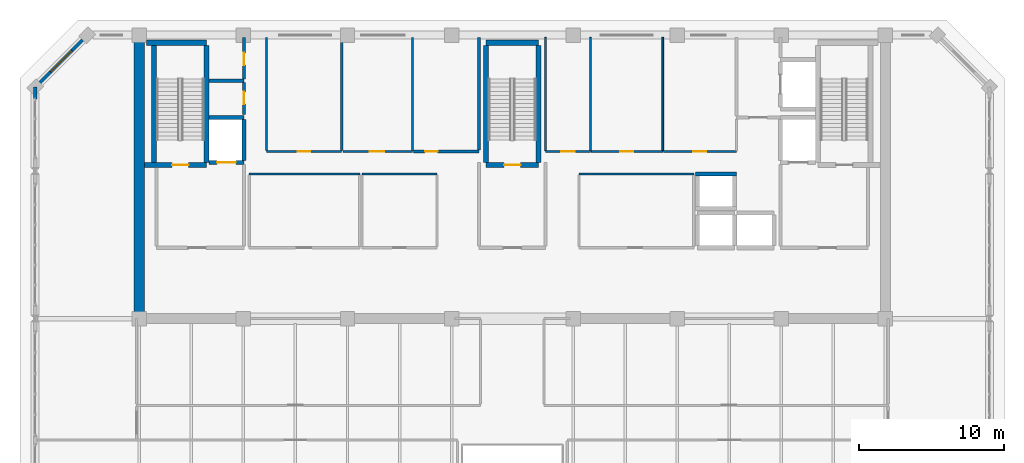
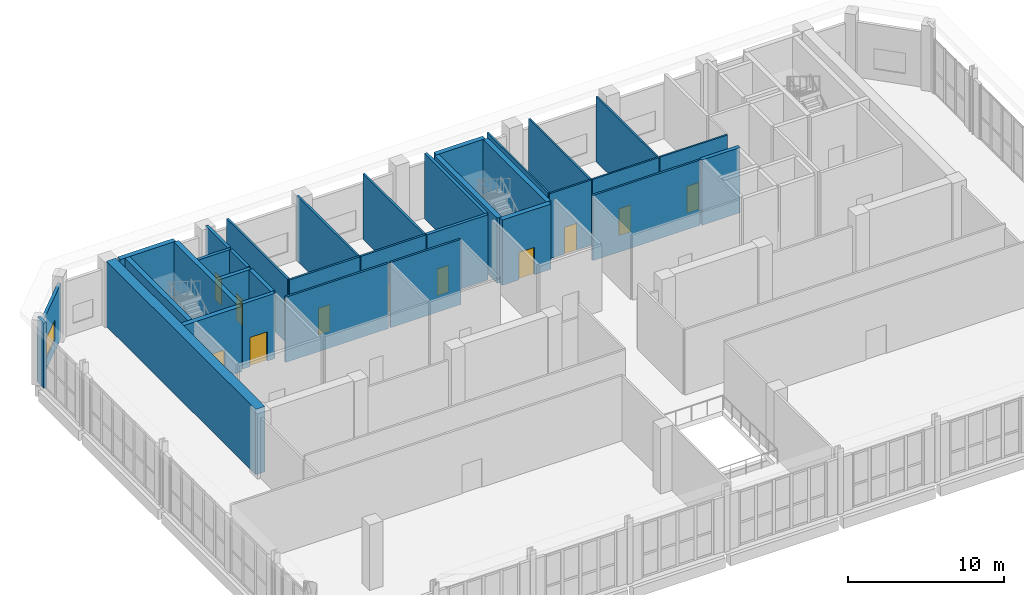
# One storey, part 21 of 26: 34 walls, 11 doors, 1 window, 12 openings.
"""IFC4 building model written with IfcOpenShell, lengths in metres."""

from ifc_helpers import new_model, si_unit, direction, frame, frame_2d, origin, place, context, subcontext, project, spatial, rectangle, extrude, material, layer, layer_set, type_object, element, fill, save


model = new_model("IFC4")

# Units and contexts
model_context = context("Model", 3, precision=1e-05, world=origin(), true_north=direction((0.0, 1.0)))
body_context = subcontext(model_context, "Body", "Model", "MODEL_VIEW")
ifc_project = project(units=[si_unit("LENGTHUNIT", "METRE"), si_unit("AREAUNIT", "SQUARE_METRE"), si_unit("VOLUMEUNIT", "CUBIC_METRE"), si_unit("PLANEANGLEUNIT", "RADIAN"), si_unit("MASSUNIT", "GRAM", prefix="KILO")], contexts=[model_context])

# Site, building, storey
site_placement = place(None, origin())
site = spatial("IfcSite", under=ifc_project, at=site_placement, CompositionType="ELEMENT")
building_placement = place(site_placement, origin())
building = spatial("IfcBuilding", under=site, at=building_placement, Name="Kaelvorn Grand Hotel", CompositionType="ELEMENT")
storey_placement = place(building_placement, frame((0.0, 0.0, 300.199951171875)))
storey = spatial("IfcBuildingStorey", under=building, at=storey_placement, Name="L73", CompositionType="ELEMENT", Elevation=300.199951171875)

# Wall
ifc_material_1 = material(Name="Concrete C50/60", Category="concrete")
ifc_layer_1 = layer(ifc_material_1, 0.699951171875)
ifc_layer_set_1 = layer_set([ifc_layer_1], Name="Concrete C50/60")
wall_type_1 = type_object("IfcWallType", Name="WL-CORE-700-C50", PredefinedType="SHEAR", material=ifc_layer_set_1)
wall_1_placement = place(storey_placement, frame((16.199951171875, 29.39990234375, 0.0), z_axis=(0.0, 0.0, 1.0), x_axis=(0.0, 1.0, 0.0)))
element("IfcWall", 1, at=wall_1_placement, inside=storey, type_object=wall_type_1, Name="L73 Rear-Core West Shear Wall", PredefinedType="SHEAR", context=body_context, shape_type="SweptSolid", body=[
    extrude(rectangle(XDim=19.2001953125, YDim=0.699951171875, at=frame_2d((9.60009765625, 0.0))), origin(), (0.0, 0.0, 1.0), 5.1201171875),
])

# Wall, opening, window
ifc_material_2 = material(Name="Concrete C40/50", Category="concrete")
ifc_layer_2 = layer(ifc_material_2, 0.219970703125)
ifc_layer_set_2 = layer_set([ifc_layer_2], Name="Concrete C40/50")
wall_type_2 = type_object("IfcWallType", Name="WL-EXT-220-C40", PredefinedType="SOLIDWALL", material=ifc_layer_set_2)
wall_2_placement = place(storey_placement, frame((12.60009765625, 49.0, 0.0), z_axis=(0.0, 0.0, 1.0), x_axis=(-0.707106781187, -0.707106781187, 0.0)))
wall_2 = element("IfcWall", 2, at=wall_2_placement, inside=storey, type_object=wall_type_2, Name="L73 Exterior Architectural Concrete Wall 06", PredefinedType="SOLIDWALL", context=body_context, shape_type="SweptSolid", body=[
    extrude(rectangle(XDim=5.09130859375, YDim=0.219970703125, at=frame_2d((2.545654296875, 0.0))), origin(), (0.0, 0.0, 1.0), 4.320068359375),
])
opening_1_placement = place(wall_2_placement, frame((1.49560546875, 0.0, 0.85009765625)))
opening_1 = element("IfcOpeningElement", 3, at=opening_1_placement, cuts=wall_2, Name="Opening W7", PredefinedType="OPENING", context=body_context, shape_type="SweptSolid", body=[
    extrude(rectangle(XDim=2.10009765625, YDim=1.60009765625, at=frame_2d((1.050048828125, 0.800048828125))), frame((0.0, 0.1201171875, 0.0), z_axis=(0.0, -1.0, 0.0), x_axis=(1.0, 0.0, 0.0)), (0.0, 0.0, 1.0), 0.239990234375),
])
ifc_material_3 = material(Name="Laminated Low-E Glass", Category="glass")
window_type = type_object("IfcWindowType", Name="WIN-CHM-2100x1600", PartitioningType="SINGLE_PANEL", PredefinedType="WINDOW", material=ifc_material_3)
window_placement = place(opening_1_placement, origin())
window = element("IfcWindow", 4, at=window_placement, inside=storey, type_object=window_type, Name="L73 Chamfered 45-Degree Corner Window NW", OverallHeight=1.60009765625, OverallWidth=2.10009765625, PartitioningType="SINGLE_PANEL", PredefinedType="WINDOW", context=body_context, shape_type="SweptSolid", body=[
    extrude(rectangle(XDim=2.10009765625, YDim=1.60009765625, at=frame_2d((1.050048828125, 0.800048828125))), frame((0.0, 0.030029296875, 0.0), z_axis=(0.0, -1.0, 0.0), x_axis=(1.0, 0.0, 0.0)), (0.0, 0.0, 1.0), 0.06005859375),
])
fill(opening_1, window)

# Wall
wall_3_placement = place(storey_placement, frame((9.0, 45.39990234375, 0.0), z_axis=(0.0, 0.0, 1.0), x_axis=(0.0, -1.0, 0.0)))
element("IfcWall", 5, at=wall_3_placement, inside=storey, type_object=wall_type_2, Name="L73 Exterior Architectural Concrete Wall 07 Pier 1", PredefinedType="SOLIDWALL", context=body_context, shape_type="SweptSolid", body=[
    extrude(rectangle(XDim=0.804931640625, YDim=0.219970703125, at=frame_2d((0.40234375, 0.0))), origin(), (0.0, 0.0, 1.0), 5.1201171875),
])

# Wall, opening, door
ifc_material_4 = material(Name="Moisture-Resistant Tile & Stud Board")
ifc_layer_3 = layer(ifc_material_4, 0.125)
ifc_layer_set_3 = layer_set([ifc_layer_3], Name="Moisture-Resistant Tile & Stud Board")
wall_type_3 = type_object("IfcWallType", Name="WL-PART-125-WET", PredefinedType="PARTITIONING", material=ifc_layer_set_3)
wall_4_placement = place(storey_placement, frame((44.300048828125, 40.949951171875, 0.0), z_axis=(0.0, 0.0, 1.0), x_axis=(1.0, 0.0, 0.0)))
wall_4 = element("IfcWall", 6, at=wall_4_placement, inside=storey, type_object=wall_type_3, Name="L73 Accessible WC S Partition", PredefinedType="PARTITIONING", context=body_context, shape_type="SweptSolid", body=[
    extrude(rectangle(XDim=3.099853515625, YDim=0.125, at=frame_2d((1.5498046875, 0.0))), origin(), (0.0, 0.0, 1.0), 5.1201171875),
])
opening_2_placement = place(wall_4_placement, frame((1.10009765625, 0.0, 0.0)))
opening_2 = element("IfcOpeningElement", 7, at=opening_2_placement, cuts=wall_4, Name="Opening DI4", PredefinedType="OPENING", context=body_context, shape_type="SweptSolid", body=[
    extrude(rectangle(XDim=0.89990234375, YDim=2.10009765625, at=frame_2d((0.449951171875, 1.050048828125))), frame((0.0, 0.072509765625, 0.0), z_axis=(0.0, -1.0, 0.0), x_axis=(1.0, 0.0, 0.0)), (0.0, 0.0, 1.0), 0.14501953125),
])
ifc_material_5 = material(Name="Timber Veneer Leaf", Category="wood")
door_type_1 = type_object("IfcDoorType", Name="DR-INT-BATH-900x2100", OperationType="NOTDEFINED", PredefinedType="DOOR", material=ifc_material_5)
door_1_placement = place(opening_2_placement, origin())
door_1 = element("IfcDoor", 8, at=door_1_placement, inside=storey, type_object=door_type_1, Name="L73 Accessible WC Door", OperationType="SINGLE_SWING_LEFT", OverallHeight=2.10009765625, OverallWidth=0.89990234375, PredefinedType="DOOR", context=body_context, shape_type="SweptSolid", body=[
    extrude(rectangle(XDim=0.89990234375, YDim=2.10009765625, at=frame_2d((0.449951171875, 1.050048828125))), frame((0.0, 0.02490234375, 0.0), z_axis=(0.0, -1.0, 0.0), x_axis=(1.0, 0.0, 0.0)), (0.0, 0.0, 1.0), 0.050048828125),
])
fill(opening_2, door_1)

# Walls
for number, where, z_axis, x_axis, name in (
    (9, (44.300048828125, 41.017578125, 0.0), (0.0, 0.0, 1.0), (0.0, 1.0, 0.0), "L73 Accessible WC W Partition"),
    (10, (47.39990234375, 41.017578125, 0.0), (0.0, 0.0, 1.0), (0.0, 1.0, 0.0), "L73 Accessible WC E Partition"),
):
    element("IfcWall", number, at=place(storey_placement, frame(where, z_axis=z_axis, x_axis=x_axis)), inside=storey, type_object=wall_type_3, Name=name, PredefinedType="PARTITIONING", context=body_context, shape_type="SweptSolid", body=[
        extrude(rectangle(XDim=7.83251953125, YDim=0.125, at=frame_2d((3.916259765625, 0.0))), origin(), (0.0, 0.0, 1.0), 5.1201171875),
    ])

# Wall, opening, door
wall_5_placement = place(storey_placement, frame((47.467529296875, 40.949951171875, 0.0), z_axis=(0.0, 0.0, 1.0), x_axis=(1.0, 0.0, 0.0)))
wall_5 = element("IfcWall", 11, at=wall_5_placement, inside=storey, type_object=wall_type_3, Name="L73 Male Staff & Guest Toilets S Partition", PredefinedType="PARTITIONING", context=body_context, shape_type="SweptSolid", body=[
    extrude(rectangle(XDim=4.932373046875, YDim=0.125, at=frame_2d((2.46630859375, 0.0))), origin(), (0.0, 0.0, 1.0), 5.1201171875),
])
opening_3_placement = place(wall_5_placement, frame((1.982421875, 0.0, 0.0)))
opening_3 = element("IfcOpeningElement", 12, at=opening_3_placement, cuts=wall_5, Name="Opening DI4", PredefinedType="OPENING", context=body_context, shape_type="SweptSolid", body=[
    extrude(rectangle(XDim=0.89990234375, YDim=2.10009765625, at=frame_2d((0.449951171875, 1.050048828125))), frame((0.0, 0.072509765625, 0.0), z_axis=(0.0, -1.0, 0.0), x_axis=(1.0, 0.0, 0.0)), (0.0, 0.0, 1.0), 0.14501953125),
])
door_2_placement = place(opening_3_placement, origin())
door_2 = element("IfcDoor", 13, at=door_2_placement, inside=storey, type_object=door_type_1, Name="L73 Male Staff & Guest Toilets Door", OperationType="SINGLE_SWING_RIGHT", OverallHeight=2.10009765625, OverallWidth=0.89990234375, PredefinedType="DOOR", context=body_context, shape_type="SweptSolid", body=[
    extrude(rectangle(XDim=0.89990234375, YDim=2.10009765625, at=frame_2d((0.449951171875, 1.050048828125))), frame((0.0, 0.02490234375, 0.0), z_axis=(0.0, -1.0, 0.0), x_axis=(1.0, 0.0, 0.0)), (0.0, 0.0, 1.0), 0.050048828125),
])
fill(opening_3, door_2)

# Wall
wall_6_placement = place(storey_placement, frame((52.39990234375, 41.017578125, 0.0), z_axis=(0.0, 0.0, 1.0), x_axis=(0.0, 1.0, 0.0)))
element("IfcWall", 14, at=wall_6_placement, inside=storey, type_object=wall_type_3, Name="L73 Male Staff & Guest Toilets E Partition", PredefinedType="PARTITIONING", context=body_context, shape_type="SweptSolid", body=[
    extrude(rectangle(XDim=7.83251953125, YDim=0.125, at=frame_2d((3.916259765625, 0.0))), origin(), (0.0, 0.0, 1.0), 5.1201171875),
])

# Wall, opening, door
wall_7_placement = place(storey_placement, frame((52.467529296875, 40.949951171875, 0.0), z_axis=(0.0, 0.0, 1.0), x_axis=(1.0, 0.0, 0.0)))
wall_7 = element("IfcWall", 15, at=wall_7_placement, inside=storey, type_object=wall_type_3, Name="L73 Female Staff & Guest Toilets S Partition", PredefinedType="PARTITIONING", context=body_context, shape_type="SweptSolid", body=[
    extrude(rectangle(XDim=5.032470703125, YDim=0.125, at=frame_2d((2.51611328125, 0.0))), origin(), (0.0, 0.0, 1.0), 5.1201171875),
])
opening_4_placement = place(wall_7_placement, frame((2.032470703125, 0.0, 0.0)))
opening_4 = element("IfcOpeningElement", 16, at=opening_4_placement, cuts=wall_7, Name="Opening DI4", PredefinedType="OPENING", context=body_context, shape_type="SweptSolid", body=[
    extrude(rectangle(XDim=0.89990234375, YDim=2.10009765625, at=frame_2d((0.449951171875, 1.050048828125))), frame((0.0, 0.072509765625, 0.0), z_axis=(0.0, -1.0, 0.0), x_axis=(1.0, 0.0, 0.0)), (0.0, 0.0, 1.0), 0.14501953125),
])
door_3_placement = place(opening_4_placement, origin())
door_3 = element("IfcDoor", 17, at=door_3_placement, inside=storey, type_object=door_type_1, Name="L73 Female Staff & Guest Toilets Door", OperationType="SINGLE_SWING_LEFT", OverallHeight=2.10009765625, OverallWidth=0.89990234375, PredefinedType="DOOR", context=body_context, shape_type="SweptSolid", body=[
    extrude(rectangle(XDim=0.89990234375, YDim=2.10009765625, at=frame_2d((0.449951171875, 1.050048828125))), frame((0.0, 0.02490234375, 0.0), z_axis=(0.0, -1.0, 0.0), x_axis=(1.0, 0.0, 0.0)), (0.0, 0.0, 1.0), 0.050048828125),
])
fill(opening_4, door_3)

# Walls
ifc_material_6 = material(Name="Acoustic Gypsum & Stud Partition")
ifc_layer_4 = layer(ifc_material_6, 0.14990234375)
ifc_layer_set_4 = layer_set([ifc_layer_4], Name="Acoustic Gypsum & Stud Partition")
wall_type_4 = type_object("IfcWallType", Name="WL-PART-150-EI60", PredefinedType="PARTITIONING", material=ifc_layer_set_4)
wall_8_placement = place(storey_placement, frame((31.60009765625, 39.39990234375, 0.0), z_axis=(0.0, 0.0, 1.0), x_axis=(1.0, 0.0, 0.0)))
element("IfcWall", 18, at=wall_8_placement, inside=storey, type_object=wall_type_4, Name="L73 Core Telecoms & BMS Server Room N Partition", PredefinedType="PARTITIONING", context=body_context, shape_type="SweptSolid", body=[
    extrude(rectangle(XDim=5.199951171875, YDim=0.14990234375, at=frame_2d((2.60009765625, 0.0))), origin(), (0.0, 0.0, 1.0), 5.1201171875),
])
wall_9_placement = place(storey_placement, frame((23.800048828125, 39.39990234375, 0.0), z_axis=(0.0, 0.0, 1.0), x_axis=(1.0, 0.0, 0.0)))
element("IfcWall", 19, at=wall_9_placement, inside=storey, type_object=wall_type_4, Name="L73 Crown Sommelier & Tasting Salon N Partition", PredefinedType="PARTITIONING", context=body_context, shape_type="SweptSolid", body=[
    extrude(rectangle(XDim=7.64990234375, YDim=0.14990234375, at=frame_2d((3.824951171875, 0.0))), origin(), (0.0, 0.0, 1.0), 5.1201171875),
])
wall_10_placement = place(storey_placement, frame((46.60009765625, 39.39990234375, 0.0), z_axis=(0.0, 0.0, 1.0), x_axis=(1.0, 0.0, 0.0)))
element("IfcWall", 20, at=wall_10_placement, inside=storey, type_object=wall_type_4, Name="L73 Sky Concierge & Butler Pantry Lounge N Partition", PredefinedType="PARTITIONING", context=body_context, shape_type="SweptSolid", body=[
    extrude(rectangle(XDim=7.949951171875, YDim=0.14990234375, at=frame_2d((3.97509765625, 0.0))), origin(), (0.0, 0.0, 1.0), 5.1201171875),
])

# Wall, opening, door
wall_11_placement = place(storey_placement, frame((25.0, 40.949951171875, 0.0), z_axis=(0.0, 0.0, 1.0), x_axis=(1.0, 0.0, 0.0)))
wall_11 = element("IfcWall", 21, at=wall_11_placement, inside=storey, type_object=wall_type_4, Name="L73 Central Janitor & Linen Store S Partition", PredefinedType="PARTITIONING", context=body_context, shape_type="SweptSolid", body=[
    extrude(rectangle(XDim=5.199951171875, YDim=0.14990234375, at=frame_2d((2.60009765625, 0.0))), origin(), (0.0, 0.0, 1.0), 5.1201171875),
])
opening_5_placement = place(wall_11_placement, frame((2.175048828125, 0.0, 0.0)))
opening_5 = element("IfcOpeningElement", 22, at=opening_5_placement, cuts=wall_11, Name="Opening DI7", PredefinedType="OPENING", context=body_context, shape_type="SweptSolid", body=[
    extrude(rectangle(XDim=0.85009765625, YDim=2.10009765625, at=frame_2d((0.425048828125, 1.050048828125))), frame((0.0, 0.0849609375, 0.0), z_axis=(0.0, -1.0, 0.0), x_axis=(1.0, 0.0, 0.0)), (0.0, 0.0, 1.0), 0.169921875),
])
ifc_material_7 = material(Name="Powder-Coated Steel Leaf", Category="steel")
door_type_2 = type_object("IfcDoorType", Name="DR-INT-RISER-850x2100", OperationType="NOTDEFINED", PredefinedType="DOOR", material=ifc_material_7)
door_4_placement = place(opening_5_placement, origin())
door_4 = element("IfcDoor", 23, at=door_4_placement, inside=storey, type_object=door_type_2, Name="L73 Central Janitor & Linen Store Door", OperationType="SINGLE_SWING_RIGHT", OverallHeight=2.10009765625, OverallWidth=0.85009765625, PredefinedType="DOOR", context=body_context, shape_type="SweptSolid", body=[
    extrude(rectangle(XDim=0.85009765625, YDim=2.10009765625, at=frame_2d((0.425048828125, 1.050048828125))), frame((0.0, 0.02490234375, 0.0), z_axis=(0.0, -1.0, 0.0), x_axis=(1.0, 0.0, 0.0)), (0.0, 0.0, 1.0), 0.050048828125),
])
fill(opening_5, door_4)

# Walls
for number, where, z_axis, x_axis, name in (
    (24, (25.0, 41.030029296875, 0.0), (0.0, 0.0, 1.0), (0.0, 1.0, 0.0), "L73 Central Janitor & Linen Store W Partition"),
    (25, (30.199951171875, 41.030029296875, 0.0), (0.0, 0.0, 1.0), (0.0, 1.0, 0.0), "L73 Central Janitor & Linen Store E Partition"),
):
    element("IfcWall", number, at=place(storey_placement, frame(where, z_axis=z_axis, x_axis=x_axis)), inside=storey, type_object=wall_type_4, Name=name, PredefinedType="PARTITIONING", context=body_context, shape_type="SweptSolid", body=[
        extrude(rectangle(XDim=7.820068359375, YDim=0.14990234375, at=frame_2d((3.91015625, 0.0))), origin(), (0.0, 0.0, 1.0), 5.1201171875),
    ])

# Wall, opening, door
wall_12_placement = place(storey_placement, frame((30.280029296875, 40.949951171875, 0.0), z_axis=(0.0, 0.0, 1.0), x_axis=(1.0, 0.0, 0.0)))
wall_12 = element("IfcWall", 26, at=wall_12_placement, inside=storey, type_object=wall_type_4, Name="L73 Room Service Servery Pantry S Partition", PredefinedType="PARTITIONING", context=body_context, shape_type="SweptSolid", body=[
    extrude(rectangle(XDim=4.820068359375, YDim=0.14990234375, at=frame_2d((2.41015625, 0.0))), origin(), (0.0, 0.0, 1.0), 5.1201171875),
])
opening_6_placement = place(wall_12_placement, frame((1.8701171875, 0.0, 0.0)))
opening_6 = element("IfcOpeningElement", 27, at=opening_6_placement, cuts=wall_12, Name="Opening DI3", PredefinedType="OPENING", context=body_context, shape_type="SweptSolid", body=[
    extrude(rectangle(XDim=1.0, YDim=2.14990234375, at=frame_2d((0.5, 1.074951171875))), frame((0.0, 0.0849609375, 0.0), z_axis=(0.0, -1.0, 0.0), x_axis=(1.0, 0.0, 0.0)), (0.0, 0.0, 1.0), 0.169921875),
])
ifc_material_8 = material(Name="Timber Veneer Fire Leaf", Category="wood")
door_type_3 = type_object("IfcDoorType", Name="DR-INT-GUEST-1000x2150", OperationType="NOTDEFINED", PredefinedType="DOOR", material=ifc_material_8)
door_5_placement = place(opening_6_placement, origin())
door_5 = element("IfcDoor", 28, at=door_5_placement, inside=storey, type_object=door_type_3, Name="L73 Room Service Servery Pantry Door", OperationType="SINGLE_SWING_LEFT", OverallHeight=2.14990234375, OverallWidth=1.0, PredefinedType="DOOR", context=body_context, shape_type="SweptSolid", body=[
    extrude(rectangle(XDim=1.0, YDim=2.14990234375, at=frame_2d((0.5, 1.074951171875))), frame((0.0, 0.02490234375, 0.0), z_axis=(0.0, -1.0, 0.0), x_axis=(1.0, 0.0, 0.0)), (0.0, 0.0, 1.0), 0.050048828125),
])
fill(opening_6, door_5)

# Walls
wall_13_placement = place(storey_placement, frame((35.10009765625, 41.030029296875, 0.0), z_axis=(0.0, 0.0, 1.0), x_axis=(0.0, 1.0, 0.0)))
element("IfcWall", 29, at=wall_13_placement, inside=storey, type_object=wall_type_4, Name="L73 Room Service Servery Pantry E Partition", PredefinedType="PARTITIONING", context=body_context, shape_type="SweptSolid", body=[
    extrude(rectangle(XDim=7.820068359375, YDim=0.14990234375, at=frame_2d((3.91015625, 0.0))), origin(), (0.0, 0.0, 1.0), 5.1201171875),
])
ifc_layer_5 = layer(ifc_material_2, 0.219970703125)
ifc_layer_set_5 = layer_set([ifc_layer_5], Name="Concrete C40/50")
wall_type_5 = type_object("IfcWallType", Name="WL-PART-220-EI120", PredefinedType="PARTITIONING", material=ifc_layer_set_5)
wall_14_placement = place(storey_placement, frame((21.034912109375, 45.85009765625, 0.0), z_axis=(0.0, 0.0, 1.0), x_axis=(1.0, 0.0, 0.0)))
element("IfcWall", 30, at=wall_14_placement, inside=storey, type_object=wall_type_5, Name="L73 Wet Fire & Plumbing Riser Shaft N Partition", PredefinedType="PARTITIONING", context=body_context, shape_type="SweptSolid", body=[
    extrude(rectangle(XDim=2.4150390625, YDim=0.219970703125, at=frame_2d((1.20751953125, 0.0))), origin(), (0.0, 0.0, 1.0), 5.1201171875),
])

# Wall, opening, door
wall_15_placement = place(storey_placement, frame((23.449951171875, 43.5, 0.0), z_axis=(0.0, 0.0, 1.0), x_axis=(0.0, 1.0, 0.0)))
wall_15 = element("IfcWall", 31, at=wall_15_placement, inside=storey, type_object=wall_type_5, Name="L73 Wet Fire & Plumbing Riser Shaft E Partition", PredefinedType="PARTITIONING", context=body_context, shape_type="SweptSolid", body=[
    extrude(rectangle(XDim=2.235107421875, YDim=0.219970703125, at=frame_2d((1.11767578125, 0.0))), origin(), (0.0, 0.0, 1.0), 5.1201171875),
])
opening_7_placement = place(wall_15_placement, frame((0.72509765625, 0.0, 0.0)))
opening_7 = element("IfcOpeningElement", 32, at=opening_7_placement, cuts=wall_15, Name="Opening DI7", PredefinedType="OPENING", context=body_context, shape_type="SweptSolid", body=[
    extrude(rectangle(XDim=0.85009765625, YDim=2.10009765625, at=frame_2d((0.425048828125, 1.050048828125))), frame((0.0, 0.1201171875, 0.0), z_axis=(0.0, -1.0, 0.0), x_axis=(1.0, 0.0, 0.0)), (0.0, 0.0, 1.0), 0.239990234375),
])
door_6_placement = place(opening_7_placement, origin())
door_6 = element("IfcDoor", 33, at=door_6_placement, inside=storey, type_object=door_type_2, Name="L73 Wet Fire & Plumbing Riser Shaft Door", OperationType="SINGLE_SWING_LEFT", OverallHeight=2.10009765625, OverallWidth=0.85009765625, PredefinedType="DOOR", context=body_context, shape_type="SweptSolid", body=[
    extrude(rectangle(XDim=0.85009765625, YDim=2.10009765625, at=frame_2d((0.425048828125, 1.050048828125))), frame((0.0, 0.02490234375, 0.0), z_axis=(0.0, -1.0, 0.0), x_axis=(1.0, 0.0, 0.0)), (0.0, 0.0, 1.0), 0.050048828125),
])
fill(opening_7, door_6)

wall_16_placement = place(storey_placement, frame((23.449951171875, 45.965087890625, 0.0), z_axis=(0.0, 0.0, 1.0), x_axis=(0.0, 1.0, 0.0)))
wall_16 = element("IfcWall", 34, at=wall_16_placement, inside=storey, type_object=wall_type_5, Name="L73 HV Electrical & Smoke Riser E Partition", PredefinedType="PARTITIONING", context=body_context, shape_type="SweptSolid", body=[
    extrude(rectangle(XDim=2.885009765625, YDim=0.219970703125, at=frame_2d((1.4423828125, 0.0))), origin(), (0.0, 0.0, 1.0), 5.1201171875),
])
opening_8_placement = place(wall_16_placement, frame((0.9599609375, 0.0, 0.0)))
opening_8 = element("IfcOpeningElement", 35, at=opening_8_placement, cuts=wall_16, Name="Opening DI7", PredefinedType="OPENING", context=body_context, shape_type="SweptSolid", body=[
    extrude(rectangle(XDim=0.85009765625, YDim=2.10009765625, at=frame_2d((0.425048828125, 1.050048828125))), frame((0.0, 0.1201171875, 0.0), z_axis=(0.0, -1.0, 0.0), x_axis=(1.0, 0.0, 0.0)), (0.0, 0.0, 1.0), 0.239990234375),
])
door_7_placement = place(opening_8_placement, origin())
door_7 = element("IfcDoor", 36, at=door_7_placement, inside=storey, type_object=door_type_2, Name="L73 HV Electrical & Smoke Riser Door", OperationType="SINGLE_SWING_RIGHT", OverallHeight=2.10009765625, OverallWidth=0.85009765625, PredefinedType="DOOR", context=body_context, shape_type="SweptSolid", body=[
    extrude(rectangle(XDim=0.85009765625, YDim=2.10009765625, at=frame_2d((0.425048828125, 1.050048828125))), frame((0.0, 0.02490234375, 0.0), z_axis=(0.0, -1.0, 0.0), x_axis=(1.0, 0.0, 0.0)), (0.0, 0.0, 1.0), 0.050048828125),
])
fill(opening_8, door_7)

wall_17_placement = place(storey_placement, frame((35.179931640625, 40.949951171875, 0.0), z_axis=(0.0, 0.0, 1.0), x_axis=(1.0, 0.0, 0.0)))
wall_17 = element("IfcWall", 37, at=wall_17_placement, inside=storey, type_object=wall_type_5, Name="L73 Floor Electrical Switchroom S Partition", PredefinedType="PARTITIONING", context=body_context, shape_type="SweptSolid", body=[
    extrude(rectangle(XDim=4.52001953125, YDim=0.219970703125, at=frame_2d((2.260009765625, 0.0))), origin(), (0.0, 0.0, 1.0), 5.1201171875),
])
opening_9_placement = place(wall_17_placement, frame((0.794921875, 0.0, 0.0)))
opening_9 = element("IfcOpeningElement", 38, at=opening_9_placement, cuts=wall_17, Name="Opening DI7", PredefinedType="OPENING", context=body_context, shape_type="SweptSolid", body=[
    extrude(rectangle(XDim=0.85009765625, YDim=2.10009765625, at=frame_2d((0.425048828125, 1.050048828125))), frame((0.0, 0.1201171875, 0.0), z_axis=(0.0, -1.0, 0.0), x_axis=(1.0, 0.0, 0.0)), (0.0, 0.0, 1.0), 0.239990234375),
])
door_8_placement = place(opening_9_placement, origin())
door_8 = element("IfcDoor", 39, at=door_8_placement, inside=storey, type_object=door_type_2, Name="L73 Floor Electrical Switchroom Door", OperationType="SINGLE_SWING_RIGHT", OverallHeight=2.10009765625, OverallWidth=0.85009765625, PredefinedType="DOOR", context=body_context, shape_type="SweptSolid", body=[
    extrude(rectangle(XDim=0.85009765625, YDim=2.10009765625, at=frame_2d((0.425048828125, 1.050048828125))), frame((0.0, 0.02490234375, 0.0), z_axis=(0.0, -1.0, 0.0), x_axis=(1.0, 0.0, 0.0)), (0.0, 0.0, 1.0), 0.050048828125),
])
fill(opening_9, door_8)

# Walls
wall_18_placement = place(storey_placement, frame((39.699951171875, 41.06494140625, 0.0), z_axis=(0.0, 0.0, 1.0), x_axis=(0.0, 1.0, 0.0)))
element("IfcWall", 40, at=wall_18_placement, inside=storey, type_object=wall_type_5, Name="L73 Floor Electrical Switchroom E Partition", PredefinedType="PARTITIONING", context=body_context, shape_type="SweptSolid", body=[
    extrude(rectangle(XDim=7.78515625, YDim=0.219970703125, at=frame_2d((3.892578125, 0.0))), origin(), (0.0, 0.0, 1.0), 5.1201171875),
])
ifc_layer_6 = layer(ifc_material_1, 0.280029296875)
ifc_layer_set_6 = layer_set([ifc_layer_6], Name="Concrete C50/60")
wall_type_6 = type_object("IfcWallType", Name="WL-SHAFT-280-C50", PredefinedType="SHEAR", material=ifc_layer_set_6)
wall_19_placement = place(storey_placement, frame((54.659912109375, 39.39990234375, 0.0), z_axis=(0.0, 0.0, 1.0), x_axis=(1.0, 0.0, 0.0)))
element("IfcWall", 41, at=wall_19_placement, inside=storey, type_object=wall_type_6, Name="L73 Lift OL-3 Shaft North Wall", PredefinedType="SHEAR", context=body_context, shape_type="SweptSolid", body=[
    extrude(rectangle(XDim=2.830078125, YDim=0.280029296875, at=frame_2d((1.4150390625, 0.0))), origin(), (0.0, 0.0, 1.0), 5.1201171875),
])

# Wall, opening, door
wall_20_placement = place(storey_placement, frame((21.034912109375, 40.199951171875, 0.0), z_axis=(0.0, 0.0, 1.0), x_axis=(1.0, 0.0, 0.0)))
wall_20 = element("IfcWall", 42, at=wall_20_placement, inside=storey, type_object=wall_type_6, Name="L73 Lift FFL1 Shaft South Wall", PredefinedType="SHEAR", context=body_context, shape_type="SweptSolid", body=[
    extrude(rectangle(XDim=2.4150390625, YDim=0.280029296875, at=frame_2d((1.20751953125, 0.0))), origin(), (0.0, 0.0, 1.0), 5.1201171875),
])
opening_10_placement = place(wall_20_placement, frame((0.5400390625, 0.0, 0.0)))
opening_10 = element("IfcOpeningElement", 43, at=opening_10_placement, cuts=wall_20, Name="Opening LD-FFL1", PredefinedType="OPENING", context=body_context, shape_type="SweptSolid", body=[
    extrude(rectangle(XDim=1.300048828125, YDim=2.300048828125, at=frame_2d((0.64990234375, 1.14990234375))), frame((0.0, 0.14990234375, 0.0), z_axis=(0.0, -1.0, 0.0), x_axis=(1.0, 0.0, 0.0)), (0.0, 0.0, 1.0), 0.300048828125),
])
ifc_material_9 = material(Name="Stainless Steel", Category="steel")
door_type_4 = type_object("IfcDoorType", Name="DR-LIFT-SERV-1300x2300", OperationType="DOUBLE_DOOR_SLIDING", PredefinedType="DOOR", material=ifc_material_9)
door_9_placement = place(opening_10_placement, origin())
door_9 = element("IfcDoor", 44, at=door_9_placement, inside=storey, type_object=door_type_4, Name="L73 Lift FFL1 Sliding Landing Door LD-FFL1", OperationType="DOUBLE_DOOR_SLIDING", OverallHeight=2.300048828125, OverallWidth=1.300048828125, PredefinedType="DOOR", context=body_context, shape_type="SweptSolid", body=[
    extrude(rectangle(XDim=1.300048828125, YDim=2.300048828125, at=frame_2d((0.64990234375, 1.14990234375))), frame((0.0, 0.02490234375, 0.0), z_axis=(0.0, -1.0, 0.0), x_axis=(1.0, 0.0, 0.0)), (0.0, 0.0, 1.0), 0.050048828125),
])
fill(opening_10, door_9)

# Walls
wall_21_placement = place(storey_placement, frame((21.034912109375, 43.300048828125, 0.0), z_axis=(0.0, 0.0, 1.0), x_axis=(1.0, 0.0, 0.0)))
element("IfcWall", 45, at=wall_21_placement, inside=storey, type_object=wall_type_6, Name="L73 Lift FFL1 Shaft North Wall", PredefinedType="SHEAR", context=body_context, shape_type="SweptSolid", body=[
    extrude(rectangle(XDim=2.4150390625, YDim=0.280029296875, at=frame_2d((1.20751953125, 0.0))), origin(), (0.0, 0.0, 1.0), 5.1201171875),
])
wall_22_placement = place(storey_placement, frame((23.449951171875, 40.344970703125, 0.0), z_axis=(0.0, 0.0, 1.0), x_axis=(0.0, 1.0, 0.0)))
element("IfcWall", 46, at=wall_22_placement, inside=storey, type_object=wall_type_6, Name="L73 Lift FFL1 Shaft East Wall", PredefinedType="SHEAR", context=body_context, shape_type="SweptSolid", body=[
    extrude(rectangle(XDim=2.81005859375, YDim=0.280029296875, at=frame_2d((1.405029296875, 0.0))), origin(), (0.0, 0.0, 1.0), 5.1201171875),
])

# Wall, opening, door
ifc_material_10 = material(Name="Concrete C60/75", Category="concrete")
ifc_layer_7 = layer(ifc_material_10, 0.35009765625)
ifc_layer_set_7 = layer_set([ifc_layer_7], Name="Concrete C60/75")
wall_type_7 = type_object("IfcWallType", Name="WL-SHAFT-350-C60", PredefinedType="SHEAR", material=ifc_layer_set_7)
wall_23_placement = place(storey_placement, frame((16.554931640625, 40.02490234375, 0.0), z_axis=(0.0, 0.0, 1.0), x_axis=(1.0, 0.0, 0.0)))
wall_23 = element("IfcWall", 47, at=wall_23_placement, inside=storey, type_object=wall_type_7, Name="L73 ST1 Stair Shaft South Wall", PredefinedType="SHEAR", context=body_context, shape_type="SweptSolid", body=[
    extrude(rectangle(XDim=4.300048828125, YDim=0.35009765625, at=frame_2d((2.14990234375, 0.0))), origin(), (0.0, 0.0, 1.0), 5.1201171875),
])
opening_11_placement = place(wall_23_placement, frame((1.909912109375, 0.0, 0.0)))
opening_11 = element("IfcOpeningElement", 48, at=opening_11_placement, cuts=wall_23, Name="Opening DI1", PredefinedType="OPENING", context=body_context, shape_type="SweptSolid", body=[
    extrude(rectangle(XDim=1.14990234375, YDim=2.14990234375, at=frame_2d((0.574951171875, 1.074951171875))), frame((0.0, 0.18505859375, 0.0), z_axis=(0.0, -1.0, 0.0), x_axis=(1.0, 0.0, 0.0)), (0.0, 0.0, 1.0), 0.3701171875),
])
door_type_5 = type_object("IfcDoorType", Name="DR-INT-STAIR-1150x2150", OperationType="NOTDEFINED", PredefinedType="DOOR", material=ifc_material_8)
door_10_placement = place(opening_11_placement, origin())
door_10 = element("IfcDoor", 49, at=door_10_placement, inside=storey, type_object=door_type_5, Name="L73 ST1 Exit Stair Fire Door", OperationType="SINGLE_SWING_RIGHT", OverallHeight=2.14990234375, OverallWidth=1.14990234375, PredefinedType="DOOR", context=body_context, shape_type="SweptSolid", body=[
    extrude(rectangle(XDim=1.14990234375, YDim=2.14990234375, at=frame_2d((0.574951171875, 1.074951171875))), frame((0.0, 0.02490234375, 0.0), z_axis=(0.0, -1.0, 0.0), x_axis=(1.0, 0.0, 0.0)), (0.0, 0.0, 1.0), 0.050048828125),
])
fill(opening_11, door_10)

# Walls
wall_24_placement = place(storey_placement, frame((16.705078125, 48.47509765625, 0.0), z_axis=(0.0, 0.0, 1.0), x_axis=(1.0, 0.0, 0.0)))
element("IfcWall", 50, at=wall_24_placement, inside=storey, type_object=wall_type_7, Name="L73 ST1 Stair Shaft North Wall", PredefinedType="SHEAR", context=body_context, shape_type="SweptSolid", body=[
    extrude(rectangle(XDim=4.14990234375, YDim=0.35009765625, at=frame_2d((2.074951171875, 0.0))), origin(), (0.0, 0.0, 1.0), 5.1201171875),
])
for number, where, z_axis, x_axis, name in (
    (51, (17.22509765625, 40.205078125, 0.0), (0.0, 0.0, 1.0), (0.0, 1.0, 0.0), "L73 ST1 Stair Shaft West Wall"),
    (52, (20.85498046875, 40.205078125, 0.0), (0.0, 0.0, 1.0), (0.0, 1.0, 0.0), "L73 ST1 Stair Shaft East Wall"),
):
    element("IfcWall", number, at=place(storey_placement, frame(where, z_axis=z_axis, x_axis=x_axis)), inside=storey, type_object=wall_type_7, Name=name, PredefinedType="SHEAR", context=body_context, shape_type="SweptSolid", body=[
        extrude(rectangle(XDim=8.08984375, YDim=0.35009765625, at=frame_2d((4.044921875, 0.0))), origin(), (0.0, 0.0, 1.0), 5.1201171875),
    ])

# Wall, opening, door
wall_25_placement = place(storey_placement, frame((40.18505859375, 40.02490234375, 0.0), z_axis=(0.0, 0.0, 1.0), x_axis=(1.0, 0.0, 0.0)))
wall_25 = element("IfcWall", 53, at=wall_25_placement, inside=storey, type_object=wall_type_7, Name="L73 ST2 Stair Shaft South Wall", PredefinedType="SHEAR", context=body_context, shape_type="SweptSolid", body=[
    extrude(rectangle(XDim=3.6298828125, YDim=0.35009765625, at=frame_2d((1.81494140625, 0.0))), origin(), (0.0, 0.0, 1.0), 5.1201171875),
])
opening_12_placement = place(wall_25_placement, frame((1.239990234375, 0.0, 0.0)))
opening_12 = element("IfcOpeningElement", 54, at=opening_12_placement, cuts=wall_25, Name="Opening DI1", PredefinedType="OPENING", context=body_context, shape_type="SweptSolid", body=[
    extrude(rectangle(XDim=1.14990234375, YDim=2.14990234375, at=frame_2d((0.574951171875, 1.074951171875))), frame((0.0, 0.18505859375, 0.0), z_axis=(0.0, -1.0, 0.0), x_axis=(1.0, 0.0, 0.0)), (0.0, 0.0, 1.0), 0.3701171875),
])
door_11_placement = place(opening_12_placement, origin())
door_11 = element("IfcDoor", 55, at=door_11_placement, inside=storey, type_object=door_type_5, Name="L73 ST2 Exit Stair Fire Door", OperationType="SINGLE_SWING_LEFT", OverallHeight=2.14990234375, OverallWidth=1.14990234375, PredefinedType="DOOR", context=body_context, shape_type="SweptSolid", body=[
    extrude(rectangle(XDim=1.14990234375, YDim=2.14990234375, at=frame_2d((0.574951171875, 1.074951171875))), frame((0.0, 0.02490234375, 0.0), z_axis=(0.0, -1.0, 0.0), x_axis=(1.0, 0.0, 0.0)), (0.0, 0.0, 1.0), 0.050048828125),
])
fill(opening_12, door_11)

# Walls
wall_26_placement = place(storey_placement, frame((40.18505859375, 48.47509765625, 0.0), z_axis=(0.0, 0.0, 1.0), x_axis=(1.0, 0.0, 0.0)))
element("IfcWall", 56, at=wall_26_placement, inside=storey, type_object=wall_type_7, Name="L73 ST2 Stair Shaft North Wall", PredefinedType="SHEAR", context=body_context, shape_type="SweptSolid", body=[
    extrude(rectangle(XDim=3.6298828125, YDim=0.35009765625, at=frame_2d((1.81494140625, 0.0))), origin(), (0.0, 0.0, 1.0), 5.1201171875),
])
for number, where, z_axis, x_axis, name in (
    (57, (40.18505859375, 40.205078125, 0.0), (0.0, 0.0, 1.0), (0.0, 1.0, 0.0), "L73 ST2 Stair Shaft West Wall"),
    (58, (43.81494140625, 40.205078125, 0.0), (0.0, 0.0, 1.0), (0.0, 1.0, 0.0), "L73 ST2 Stair Shaft East Wall"),
):
    element("IfcWall", number, at=place(storey_placement, frame(where, z_axis=z_axis, x_axis=x_axis)), inside=storey, type_object=wall_type_7, Name=name, PredefinedType="SHEAR", context=body_context, shape_type="SweptSolid", body=[
        extrude(rectangle(XDim=8.08984375, YDim=0.35009765625, at=frame_2d((4.044921875, 0.0))), origin(), (0.0, 0.0, 1.0), 5.1201171875),
    ])

save(model, "model.ifc")
